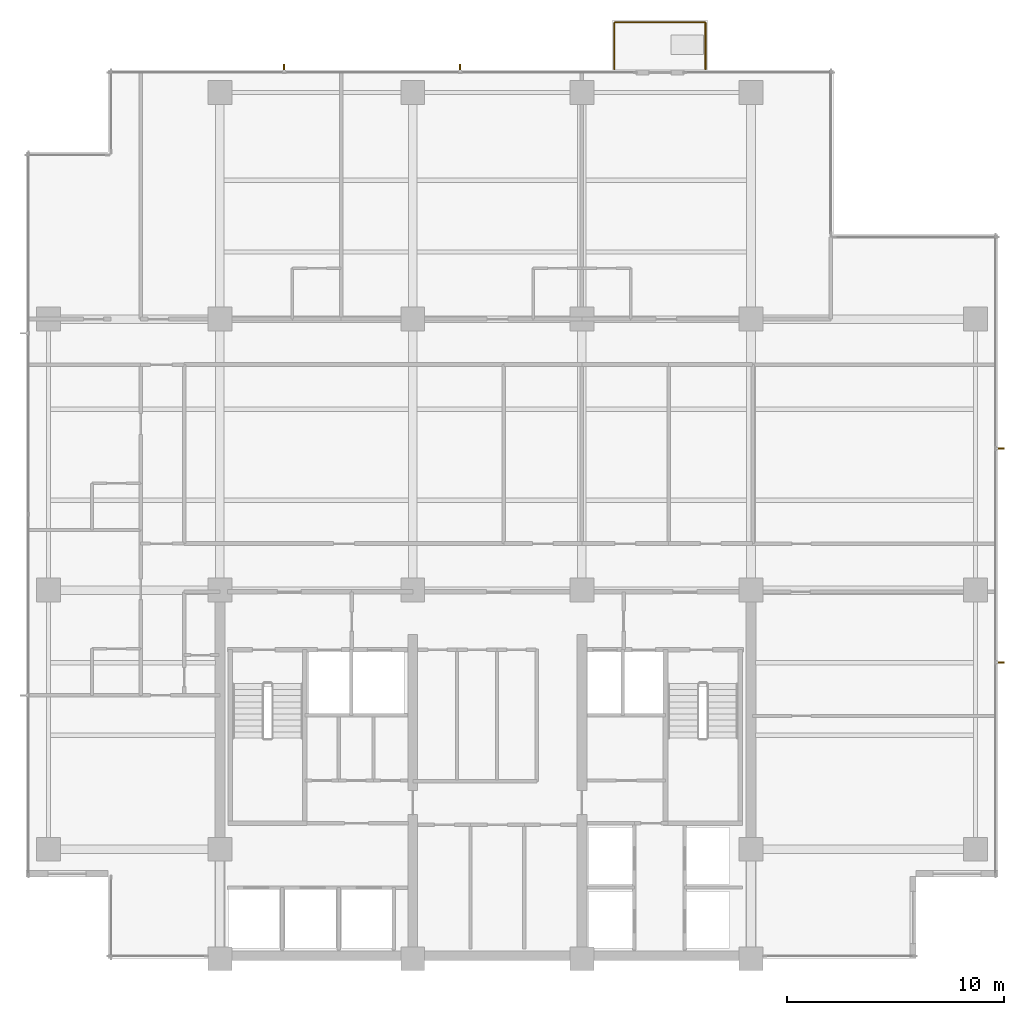
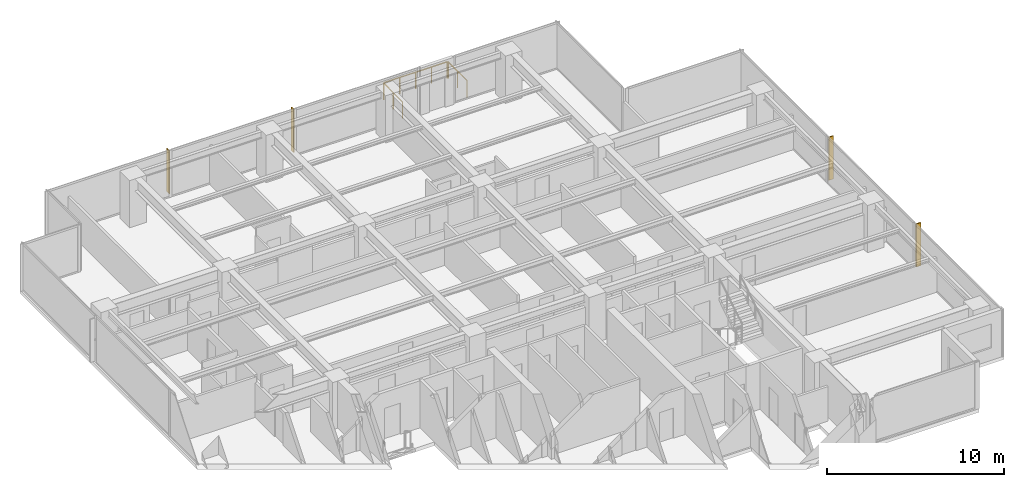
# One storey, part 15 of 15: 4 shading devices, 3 railings.
"""IFC4 building model written with IfcOpenShell, lengths in metres."""

from ifc_helpers import new_model, si_unit, direction, frame, origin, origin_2d, place, context, subcontext, project, spatial, polyline, circle, outline, extrude, material, layer, layer_set, type_object, element, save


model = new_model("IFC4")

# Units and contexts
model_context = context("Model", 3, precision=1e-05, world=origin(), true_north=direction((0.0, 1.0)))
body_context = subcontext(model_context, "Body", "Model", "MODEL_VIEW")
ifc_project = project(units=[si_unit("LENGTHUNIT", "METRE"), si_unit("AREAUNIT", "SQUARE_METRE"), si_unit("VOLUMEUNIT", "CUBIC_METRE"), si_unit("PLANEANGLEUNIT", "RADIAN"), si_unit("MASSUNIT", "GRAM", prefix="KILO")], contexts=[model_context])

# Site, building, storey
site_placement = place(None, origin())
site = spatial("IfcSite", under=ifc_project, at=site_placement, CompositionType="ELEMENT")
building_placement = place(site_placement, origin())
building = spatial("IfcBuilding", under=site, at=building_placement, Name="Qalmaran Belvedere Hotel", CompositionType="ELEMENT")
storey_placement = place(building_placement, frame((0.0, 0.0, 163.10009765625)))
storey = spatial("IfcBuildingStorey", under=building, at=storey_placement, Name="L41", CompositionType="ELEMENT", Elevation=163.10009765625)

# Shading devices
ifc_material = material(Name="Anodised Bronze Aluminium", Category="aluminium")
ifc_layer = layer(ifc_material, 0.06494140625, Name="Anodised Bronze Aluminium")
ifc_layer_set = layer_set([ifc_layer], Name="Anodised Bronze Aluminium")
shading_device_type = type_object("IfcShadingDeviceType", Name="FIN-BRNZ-300", PredefinedType="USERDEFINED", material=ifc_layer_set)
shading_device_1_placement = place(storey_placement, frame((0.0, 0.0, 0.159912109375)))
element("IfcShadingDevice", 1, at=shading_device_1_placement, inside=storey, type_object=shading_device_type, Name="L41 Bronze Fin 1", ObjectType="FIN", PredefinedType="USERDEFINED", context=body_context, shape_type="SweptSolid", body=[
    extrude(outline(polyline([(56.169921875, 17.13427734375), (56.469970703125, 17.13427734375), (56.469970703125, 17.19921875), (56.169921875, 17.19921875), (56.169921875, 17.13427734375)])), origin(), (0.0, 0.0, 1.0), 2.969970703125),
])
shading_device_2_placement = place(storey_placement, frame((0.0, 0.0, 0.159912109375)))
element("IfcShadingDevice", 2, at=shading_device_2_placement, inside=storey, type_object=shading_device_type, Name="L41 Bronze Fin 2", ObjectType="FIN", PredefinedType="USERDEFINED", context=body_context, shape_type="SweptSolid", body=[
    extrude(outline(polyline([(56.169921875, 27.000732421875), (56.469970703125, 27.000732421875), (56.469970703125, 27.06591796875), (56.169921875, 27.06591796875), (56.169921875, 27.000732421875)])), origin(), (0.0, 0.0, 1.0), 2.969970703125),
])
shading_device_3_placement = place(storey_placement, frame((0.0, 0.0, 0.159912109375)))
element("IfcShadingDevice", 3, at=shading_device_3_placement, inside=storey, type_object=shading_device_type, Name="L41 Bronze Fin 1", ObjectType="FIN", PredefinedType="USERDEFINED", context=body_context, shape_type="SweptSolid", body=[
    extrude(outline(polyline([(31.415771484375, 44.469970703125), (31.415771484375, 44.77001953125), (31.350830078125, 44.77001953125), (31.350830078125, 44.469970703125), (31.415771484375, 44.469970703125)])), origin(), (0.0, 0.0, 1.0), 2.969970703125),
])
shading_device_4_placement = place(storey_placement, frame((0.0, 0.0, 0.159912109375)))
element("IfcShadingDevice", 4, at=shading_device_4_placement, inside=storey, type_object=shading_device_type, Name="L41 Bronze Fin 2", ObjectType="FIN", PredefinedType="USERDEFINED", context=body_context, shape_type="SweptSolid", body=[
    extrude(outline(polyline([(23.29931640625, 44.469970703125), (23.29931640625, 44.77001953125), (23.234130859375, 44.77001953125), (23.234130859375, 44.469970703125), (23.29931640625, 44.469970703125)])), origin(), (0.0, 0.0, 1.0), 2.969970703125),
])

# Railings
railing_type = type_object("IfcRailingType", Name="GRD-BAL-1150", PredefinedType="BALUSTRADE", material=ifc_material)
railing_1_placement = place(storey_placement, frame((38.5, 44.534912109375, 0.0)))
element("IfcRailing", 5, at=railing_1_placement, inside=storey, type_object=railing_type, Name="L41 Guardrail BAL-L41-N-1", PredefinedType="BALUSTRADE", context=body_context, shape_type="SweptSolid", body=[
    extrude(circle(Radius=0.02392578125, at=origin_2d()), frame((0.0, 0.0, 1.1259765625), z_axis=(0.0, 1.0, 0.0), x_axis=(-1.0, 0.0, 0.0)), (0.0, 0.0, 1.0), 2.130126953125),
    extrude(circle(Radius=0.02099609375, at=origin_2d()), origin(), (0.0, 0.0, 1.0), 1.101806640625),
    extrude(circle(Radius=0.02099609375, at=origin_2d()), frame((0.0, 1.06494140625, 0.0)), (0.0, 0.0, 1.0), 1.101806640625),
    extrude(circle(Radius=0.02099609375, at=origin_2d()), frame((0.0, 2.130126953125, 0.0)), (0.0, 0.0, 1.0), 1.101806640625),
])
railing_2_placement = place(storey_placement, frame((38.534912109375, 46.699951171875, 0.0)))
element("IfcRailing", 6, at=railing_2_placement, inside=storey, type_object=railing_type, Name="L41 Guardrail BAL-L41-N-2", PredefinedType="BALUSTRADE", context=body_context, shape_type="SweptSolid", body=[
    extrude(circle(Radius=0.02392578125, at=origin_2d()), frame((0.0, 0.0, 1.1259765625), z_axis=(1.0, 0.0, 0.0), x_axis=(0.0, 1.0, 0.0)), (0.0, 0.0, 1.0), 4.130126953125),
    extrude(circle(Radius=0.02099609375, at=origin_2d()), origin(), (0.0, 0.0, 1.0), 1.101806640625),
    extrude(circle(Radius=0.02099609375, at=origin_2d()), frame((1.032470703125, 0.0, 0.0)), (0.0, 0.0, 1.0), 1.101806640625),
    extrude(circle(Radius=0.02099609375, at=origin_2d()), frame((2.06494140625, 0.0, 0.0)), (0.0, 0.0, 1.0), 1.101806640625),
    extrude(circle(Radius=0.02099609375, at=origin_2d()), frame((3.09765625, 0.0, 0.0)), (0.0, 0.0, 1.0), 1.101806640625),
    extrude(circle(Radius=0.02099609375, at=origin_2d()), frame((4.130126953125, 0.0, 0.0)), (0.0, 0.0, 1.0), 1.101806640625),
])
railing_3_placement = place(storey_placement, frame((42.699951171875, 46.6650390625, 0.0)))
element("IfcRailing", 7, at=railing_3_placement, inside=storey, type_object=railing_type, Name="L41 Guardrail BAL-L41-N-3", PredefinedType="BALUSTRADE", context=body_context, shape_type="SweptSolid", body=[
    extrude(circle(Radius=0.02392578125, at=origin_2d()), frame((0.0, 0.0, 1.1259765625), z_axis=(0.0, -1.0, 0.0), x_axis=(1.0, 0.0, 0.0)), (0.0, 0.0, 1.0), 2.130126953125),
    extrude(circle(Radius=0.02099609375, at=origin_2d()), origin(), (0.0, 0.0, 1.0), 1.101806640625),
    extrude(circle(Radius=0.02099609375, at=origin_2d()), frame((0.0, -1.06494140625, 0.0)), (0.0, 0.0, 1.0), 1.101806640625),
    extrude(circle(Radius=0.02099609375, at=origin_2d()), frame((0.0, -2.130126953125, 0.0)), (0.0, 0.0, 1.0), 1.101806640625),
])

save(model, "model.ifc")
